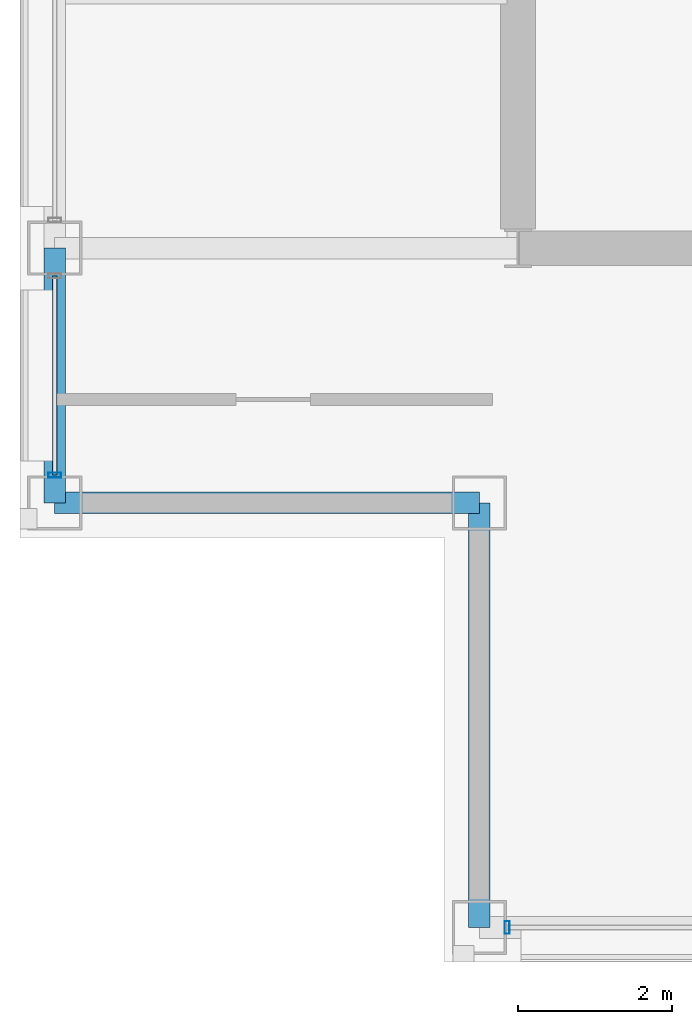
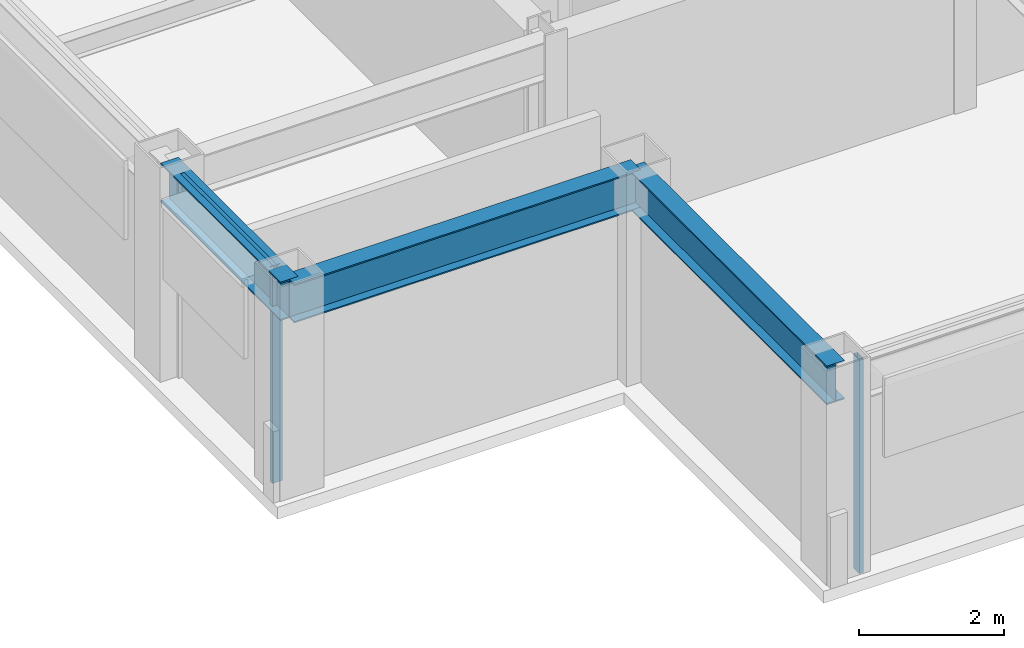
# One storey, part 2 of 30: 3 beams, 3 members, 2 elements without a shape of their own.
"""IFC4 building model written with IfcOpenShell, lengths in metres."""

from ifc_helpers import new_model, si_unit, direction, frame, origin, origin_2d, place, context, subcontext, project, spatial, hollow_rectangle, i_section, extrude, material, layer, layer_set, material_profile, profile_set, type_object, element, aggregate, save


model = new_model("IFC4")

# Units and contexts
model_context = context("Model", 3, precision=1e-05, world=origin(), true_north=direction((0.0, 1.0)))
body_context = subcontext(model_context, "Body", "Model", "MODEL_VIEW")
ifc_project = project(units=[si_unit("LENGTHUNIT", "METRE"), si_unit("AREAUNIT", "SQUARE_METRE"), si_unit("VOLUMEUNIT", "CUBIC_METRE"), si_unit("PLANEANGLEUNIT", "RADIAN"), si_unit("MASSUNIT", "GRAM", prefix="KILO")], contexts=[model_context])

# Site, building, storey
site_placement = place(None, origin())
site = spatial("IfcSite", under=ifc_project, at=site_placement, CompositionType="ELEMENT")
building_placement = place(site_placement, origin())
building = spatial("IfcBuilding", under=site, at=building_placement, Name="Brelmoor Portico Tower", CompositionType="ELEMENT")
storey_placement = place(building_placement, frame((0.0, 0.0, 198.300048828125)))
storey = spatial("IfcBuildingStorey", under=building, at=storey_placement, Name="L52", CompositionType="ELEMENT", Elevation=198.300048828125)

# Beams
ifc_material_1 = material(Name="Steel Q355B", Category="steel")
ifc_material_profile_1 = material_profile(ifc_material_1, i_section(OverallWidth=0.280029296875, OverallDepth=0.64990234375, WebThickness=0.012939453125, FlangeThickness=0.02197265625, at=origin_2d()), Name="HN 650x280x13x22")
ifc_profile_set_1 = profile_set([ifc_material_profile_1], Name="Steel Q355B")
beam_type = type_object("IfcBeamType", Name="BM-SP-650", PredefinedType="SPANDREL", material=ifc_profile_set_1)
beam_1_placement = place(storey_placement, frame((-20.550048828125, -13.050048828125, 3.074951171875), z_axis=(1.0, 0.0, 0.0), x_axis=(0.0, 1.0, 0.0)))
element("IfcBeam", 1, at=beam_1_placement, inside=storey, type_object=beam_type, Name="L52 Perimeter Spandrel Beam SP-04", PredefinedType="SPANDREL", context=body_context, shape_type="SweptSolid", body=[
    extrude(i_section(OverallWidth=0.280029296875, OverallDepth=0.64990234375, WebThickness=0.012939453125, FlangeThickness=0.02197265625, at=origin_2d()), origin(), (0.0, 0.0, 1.0), 5.5),
])
beam_2_placement = place(storey_placement, frame((-20.550048828125, -13.050048828125, 3.074951171875), z_axis=(0.0, 1.0, 0.0), x_axis=(-1.0, 0.0, 0.0)))
element("IfcBeam", 2, at=beam_2_placement, inside=storey, type_object=beam_type, Name="L52 Perimeter Spandrel Beam SP-11", PredefinedType="SPANDREL", context=body_context, shape_type="SweptSolid", body=[
    extrude(i_section(OverallWidth=0.280029296875, OverallDepth=0.64990234375, WebThickness=0.012939453125, FlangeThickness=0.02197265625, at=origin_2d()), origin(), (0.0, 0.0, 1.0), 3.300048828125),
])
beam_3_placement = place(storey_placement, frame((-15.050048828125, -18.550048828125, 3.074951171875), z_axis=(0.0, 1.0, 0.0), x_axis=(-1.0, 0.0, 0.0)))
element("IfcBeam", 3, at=beam_3_placement, inside=storey, type_object=beam_type, Name="L52 Perimeter Spandrel Beam SP-14", PredefinedType="SPANDREL", context=body_context, shape_type="SweptSolid", body=[
    extrude(i_section(OverallWidth=0.280029296875, OverallDepth=0.64990234375, WebThickness=0.012939453125, FlangeThickness=0.02197265625, at=origin_2d()), origin(), (0.0, 0.0, 1.0), 5.5),
])

# Curtain wall, member
ifc_material_2 = material(Name="Anodised Aluminium Alloy 6063-T6", Category="aluminium")
ifc_layer = layer(ifc_material_2, 0.179931640625)
ifc_layer_set = layer_set([ifc_layer], Name="Anodised Aluminium Alloy 6063-T6")
curtain_wall_type = type_object("IfcCurtainWallType", Name="CW-TOWER-Z3-XB", PredefinedType="NOTDEFINED", material=ifc_layer_set)
curtain_wall_1_placement = place(storey_placement, origin())
curtain_wall_1 = element("IfcCurtainWall", 4, at=curtain_wall_1_placement, inside=storey, type_object=curtain_wall_type, Name="L52 Curtain Wall CW-L52-01-1", PredefinedType="NOTDEFINED")
ifc_material_profile_2 = material_profile(ifc_material_2, hollow_rectangle(XDim=0.06494140625, YDim=0.1650390625, WallThickness=0.00390625, at=origin_2d()), Name="ALU MULLION 65x165")
ifc_profile_set_2 = profile_set([ifc_material_profile_2], Name="Anodised Aluminium Alloy 6063-T6")
member_type_1 = type_object("IfcMemberType", Name="MB-CW-MULL-165", PredefinedType="MULLION", material=ifc_profile_set_2)
member_1_placement = place(storey_placement, frame((-14.68994140625, -18.550048828125, -0.199951171875), z_axis=(0.0, 0.0, 1.0), x_axis=(1.0, 0.0, 0.0)))
member_1 = element("IfcMember", 5, at=member_1_placement, type_object=member_type_1, Name="CW-L52-01-1 Mullion 00", PredefinedType="MULLION", context=body_context, shape_type="SweptSolid", body=[
    extrude(hollow_rectangle(XDim=0.06494140625, YDim=0.1650390625, WallThickness=0.00390625, at=origin_2d()), origin(), (0.0, 0.0, 1.0), 3.599853515625),
])
aggregate(curtain_wall_1, [member_1])

# Curtain wall, members
curtain_wall_2_placement = place(storey_placement, origin())
curtain_wall_2 = element("IfcCurtainWall", 6, at=curtain_wall_2_placement, inside=storey, type_object=curtain_wall_type, Name="L52 Curtain Wall CW-L52-03-1", PredefinedType="NOTDEFINED")
member_2_placement = place(storey_placement, frame((-20.550048828125, -12.68994140625, -0.199951171875), z_axis=(0.0, 0.0, 1.0), x_axis=(0.0, 1.0, 0.0)))
member_2 = element("IfcMember", 7, at=member_2_placement, type_object=member_type_1, Name="CW-L52-03-1 Mullion 00", PredefinedType="MULLION", context=body_context, shape_type="SweptSolid", body=[
    extrude(hollow_rectangle(XDim=0.06494140625, YDim=0.1650390625, WallThickness=0.00390625, at=origin_2d()), origin(), (0.0, 0.0, 1.0), 3.599853515625),
])
ifc_material_profile_3 = material_profile(ifc_material_2, hollow_rectangle(XDim=0.06005859375, YDim=0.125, WallThickness=0.00341796875, at=origin_2d()), Name="ALU TRANSOM 60x125")
ifc_profile_set_3 = profile_set([ifc_material_profile_3], Name="Anodised Aluminium Alloy 6063-T6")
member_type_2 = type_object("IfcMemberType", Name="MB-CW-TRAN-125", PredefinedType="USERDEFINED", material=ifc_profile_set_3)
member_3_placement = place(storey_placement, frame((-20.550048828125, -12.68994140625, 3.33740234375), z_axis=(0.0, 1.0, 0.0), x_axis=(-1.0, 0.0, 0.0)))
member_3 = element("IfcMember", 8, at=member_3_placement, type_object=member_type_2, Name="CW-L52-03-1 Transom 1-00", ObjectType="TRANSOM", PredefinedType="USERDEFINED", context=body_context, shape_type="SweptSolid", body=[
    extrude(hollow_rectangle(XDim=0.06005859375, YDim=0.125, WallThickness=0.00341796875, at=origin_2d()), origin(), (0.0, 0.0, 1.0), 2.579833984375),
])
aggregate(curtain_wall_2, [member_2, member_3])

save(model, "model.ifc")
